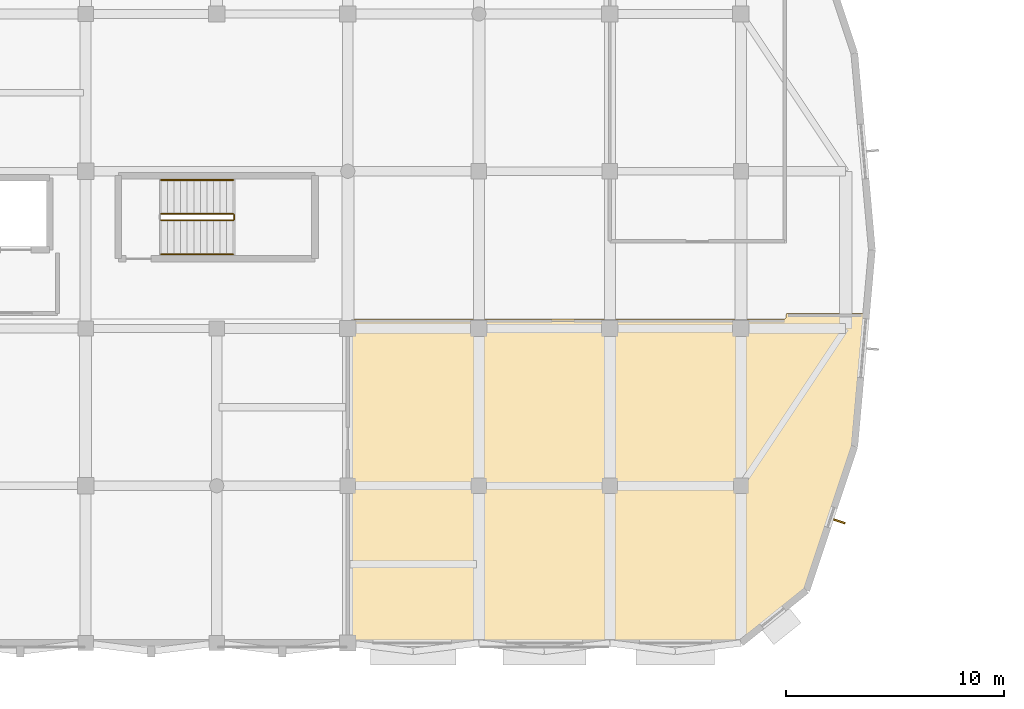
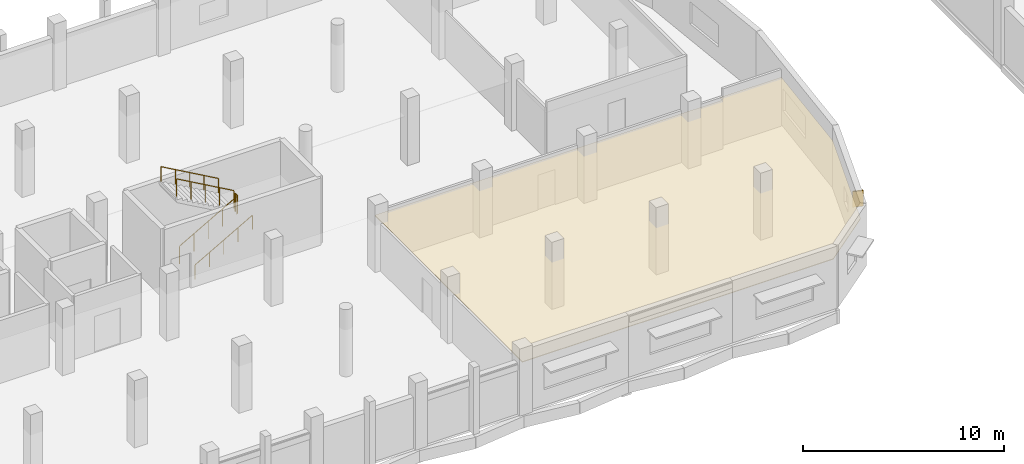
# One storey, part 120 of 127: 5 railings, 1 covering, 1 shading device.
"""IFC4 building model written with IfcOpenShell, lengths in metres."""

from ifc_helpers import new_model, si_unit, direction, frame, origin, origin_2d, place, context, subcontext, project, spatial, polyline, rectangle, circle, outline, extrude, material, layer, layer_set, type_object, element, save


model = new_model("IFC4")

# Units and contexts
model_context = context("Model", 3, precision=1e-05, world=origin(), true_north=direction((0.0, 1.0)))
body_context = subcontext(model_context, "Body", "Model", "MODEL_VIEW")
ifc_project = project(units=[si_unit("LENGTHUNIT", "METRE"), si_unit("AREAUNIT", "SQUARE_METRE"), si_unit("VOLUMEUNIT", "CUBIC_METRE"), si_unit("PLANEANGLEUNIT", "RADIAN"), si_unit("MASSUNIT", "GRAM", prefix="KILO")], contexts=[model_context])

# Site, building, storey
site_placement = place(None, origin())
site = spatial("IfcSite", under=ifc_project, at=site_placement, CompositionType="ELEMENT")
building_placement = place(site_placement, origin())
building = spatial("IfcBuilding", under=site, at=building_placement, Name="Dunvalen Ferry Terminal", CompositionType="ELEMENT")
storey_placement = place(building_placement, frame((0.0, 0.0, 5.760009765625)))
storey = spatial("IfcBuildingStorey", under=building, at=storey_placement, Name="L01", CompositionType="ELEMENT", Elevation=5.760009765625)

# Shading device
ifc_material_1 = material(Name="Anodised marine aluminium EN AW-6063 T6", Category="aluminium")
ifc_layer_1 = layer(ifc_material_1, 0.080078125, Name="Anodised marine aluminium EN AW-6063 T6")
ifc_layer_set_1 = layer_set([ifc_layer_1], Name="Anodised marine aluminium EN AW-6063 T6")
shading_device_type = type_object("IfcShadingDeviceType", Name="ENV-SHD-FIN01", PredefinedType="USERDEFINED", material=ifc_layer_set_1)
shading_device_placement = place(storey_placement, frame((94.507080078125, 5.569580078125, 1.14990234375), z_axis=(0.0, 0.0, 1.0), x_axis=(0.316232085723, 0.948681858138, 0.0)))
element("IfcShadingDevice", 1, at=shading_device_placement, inside=storey, type_object=shading_device_type, Name="L01 East Solar Fin 014", ObjectType="SOLAR FIN", PredefinedType="USERDEFINED", context=body_context, shape_type="SweptSolid", body=[
    extrude(rectangle(XDim=0.080078125, YDim=0.550048828125, at=origin_2d()), origin(), (0.0, 0.0, 1.0), 0.949951171875),
])

# Covering
ifc_material_2 = material(Name="Perforated marine aluminium acoustic baffle ceiling", Category="aluminium")
ifc_layer_2 = layer(ifc_material_2, 0.0400390625, Name="Perforated marine aluminium acoustic baffle ceiling")
ifc_layer_set_2 = layer_set([ifc_layer_2], Name="Perforated marine aluminium acoustic baffle ceiling")
covering_type = type_object("IfcCoveringType", Name="INT-COV-CLG01", PredefinedType="CEILING", material=ifc_layer_set_2)
covering_placement = place(storey_placement, frame((0.0, 0.0, 2.81005859375)))
element("IfcCovering", 2, at=covering_placement, inside=storey, type_object=covering_type, Name="L01 Terminal Duty Manager and Operations Suite Acoustic Suspended Ceiling", PredefinedType="CEILING", context=body_context, shape_type="SweptSolid", body=[
    extrude(outline(polyline([(95.068115234375, 9.026611328125), (95.609619140625, 15.090087890625), (92.081787109375, 15.090087890625), (92.05029296875, 14.868896484375), (91.9775390625, 14.830078125), (72.070068359375, 14.830078125), (72.070068359375, 0.1298828125), (89.9541015625, 0.1298828125), (92.888671875, 2.48876953125), (95.068115234375, 9.026611328125)])), origin(), (0.0, 0.0, 1.0), 0.0400390625),
])

# Railings
ifc_material_3 = material(Name="Painted galvanised steel S275", Category="steel")
railing_type_1 = type_object("IfcRailingType", Name="INT-RL-STGRD", PredefinedType="GUARDRAIL", material=ifc_material_3)
railing_1_placement = place(storey_placement, frame((63.449951171875, 19.35009765625, 0.169921875)))
element("IfcRailing", 3, at=railing_1_placement, inside=storey, type_object=railing_type_1, Name="L01 ST3 stair guard 1", PredefinedType="GUARDRAIL", context=body_context, shape_type="SweptSolid", body=[
    extrude(circle(Radius=0.02392578125, at=origin_2d()), frame((0.0, 0.0, 1.076171875), z_axis=(0.870012062771, 0.0, 0.493030435808), x_axis=(0.0, 1.0, 0.0)), (0.0, 0.0, 1.0), 3.793212890625),
    extrude(circle(Radius=0.02099609375, at=origin_2d()), origin(), (0.0, 0.0, 1.0), 1.052001953125),
    extrude(circle(Radius=0.02099609375, at=origin_2d()), frame((0.824951171875, 0.0, 0.467529296875)), (0.0, 0.0, 1.0), 1.052001953125),
    extrude(circle(Radius=0.02099609375, at=origin_2d()), frame((1.64990234375, 0.0, 0.93505859375)), (0.0, 0.0, 1.0), 1.052001953125),
    extrude(circle(Radius=0.02099609375, at=origin_2d()), frame((2.47509765625, 0.0, 1.402587890625)), (0.0, 0.0, 1.0), 1.052001953125),
    extrude(circle(Radius=0.02099609375, at=origin_2d()), frame((3.300048828125, 0.0, 1.8701171875)), (0.0, 0.0, 1.0), 1.052001953125),
])
railing_2_placement = place(storey_placement, frame((66.800048828125, 19.39990234375, 2.0400390625)))
element("IfcRailing", 4, at=railing_2_placement, inside=storey, type_object=railing_type_1, Name="L01 ST3 stair guard 2", PredefinedType="GUARDRAIL", context=body_context, shape_type="SweptSolid", body=[
    extrude(circle(Radius=0.02392578125, at=origin_2d()), frame((0.0, 0.0, 1.076171875), z_axis=(0.0, 1.0, 0.0), x_axis=(-1.0, 0.0, 0.0)), (0.0, 0.0, 1.0), 0.2001953125),
    extrude(circle(Radius=0.02099609375, at=origin_2d()), origin(), (0.0, 0.0, 1.0), 1.052001953125),
    extrude(circle(Radius=0.02099609375, at=origin_2d()), frame((0.0, 0.2001953125, 0.0)), (0.0, 0.0, 1.0), 1.052001953125),
])
railing_3_placement = place(storey_placement, frame((66.75, 19.64990234375, 2.2099609375)))
element("IfcRailing", 5, at=railing_3_placement, inside=storey, type_object=railing_type_1, Name="L01 ST3 stair guard 3", PredefinedType="GUARDRAIL", context=body_context, shape_type="SweptSolid", body=[
    extrude(circle(Radius=0.02392578125, at=origin_2d()), frame((0.0, 0.0, 1.076171875), z_axis=(-0.870012062771, 0.0, 0.493030435808), x_axis=(0.0, -1.0, 0.0)), (0.0, 0.0, 1.0), 3.793212890625),
    extrude(circle(Radius=0.02099609375, at=origin_2d()), origin(), (0.0, 0.0, 1.0), 1.052001953125),
    extrude(circle(Radius=0.02099609375, at=origin_2d()), frame((-0.824951171875, 0.0, 0.467529296875)), (0.0, 0.0, 1.0), 1.052001953125),
    extrude(circle(Radius=0.02099609375, at=origin_2d()), frame((-1.64990234375, 0.0, 0.93505859375)), (0.0, 0.0, 1.0), 1.052001953125),
    extrude(circle(Radius=0.02099609375, at=origin_2d()), frame((-2.47509765625, 0.0, 1.402587890625)), (0.0, 0.0, 1.0), 1.052001953125),
    extrude(circle(Radius=0.02099609375, at=origin_2d()), frame((-3.300048828125, 0.0, 1.8701171875)), (0.0, 0.0, 1.0), 1.052001953125),
])
ifc_material_4 = material(Name="Brushed 316 stainless steel", Category="steel")
railing_type_2 = type_object("IfcRailingType", Name="INT-RL-STHND", PredefinedType="HANDRAIL", material=ifc_material_4)
railing_4_placement = place(storey_placement, frame((63.449951171875, 17.800048828125, 0.169921875)))
element("IfcRailing", 6, at=railing_4_placement, inside=storey, type_object=railing_type_2, Name="L01 ST3 stair handrail 1", PredefinedType="HANDRAIL", context=body_context, shape_type="SweptSolid", body=[
    extrude(circle(Radius=0.02392578125, at=origin_2d()), frame((0.0, 0.0, 0.8759765625), z_axis=(0.870012062771, 0.0, 0.493030435808), x_axis=(0.0, 1.0, 0.0)), (0.0, 0.0, 1.0), 3.793212890625),
    extrude(circle(Radius=0.02099609375, at=origin_2d()), origin(), (0.0, 0.0, 1.0), 0.851806640625),
    extrude(circle(Radius=0.02099609375, at=origin_2d()), frame((0.824951171875, 0.0, 0.467529296875)), (0.0, 0.0, 1.0), 0.851806640625),
    extrude(circle(Radius=0.02099609375, at=origin_2d()), frame((1.64990234375, 0.0, 0.93505859375)), (0.0, 0.0, 1.0), 0.851806640625),
    extrude(circle(Radius=0.02099609375, at=origin_2d()), frame((2.47509765625, 0.0, 1.402587890625)), (0.0, 0.0, 1.0), 0.851806640625),
    extrude(circle(Radius=0.02099609375, at=origin_2d()), frame((3.300048828125, 0.0, 1.8701171875)), (0.0, 0.0, 1.0), 0.851806640625),
])
railing_5_placement = place(storey_placement, frame((66.75, 21.199951171875, 2.2099609375)))
element("IfcRailing", 7, at=railing_5_placement, inside=storey, type_object=railing_type_2, Name="L01 ST3 stair handrail 2", PredefinedType="HANDRAIL", context=body_context, shape_type="SweptSolid", body=[
    extrude(circle(Radius=0.02392578125, at=origin_2d()), frame((0.0, 0.0, 0.8759765625), z_axis=(-0.870012062771, 0.0, 0.493030435808), x_axis=(0.0, -1.0, 0.0)), (0.0, 0.0, 1.0), 3.793212890625),
    extrude(circle(Radius=0.02099609375, at=origin_2d()), origin(), (0.0, 0.0, 1.0), 0.851806640625),
    extrude(circle(Radius=0.02099609375, at=origin_2d()), frame((-0.824951171875, 0.0, 0.467529296875)), (0.0, 0.0, 1.0), 0.851806640625),
    extrude(circle(Radius=0.02099609375, at=origin_2d()), frame((-1.64990234375, 0.0, 0.93505859375)), (0.0, 0.0, 1.0), 0.851806640625),
    extrude(circle(Radius=0.02099609375, at=origin_2d()), frame((-2.47509765625, 0.0, 1.402587890625)), (0.0, 0.0, 1.0), 0.851806640625),
    extrude(circle(Radius=0.02099609375, at=origin_2d()), frame((-3.300048828125, 0.0, 1.8701171875)), (0.0, 0.0, 1.0), 0.851806640625),
])

save(model, "model.ifc")
